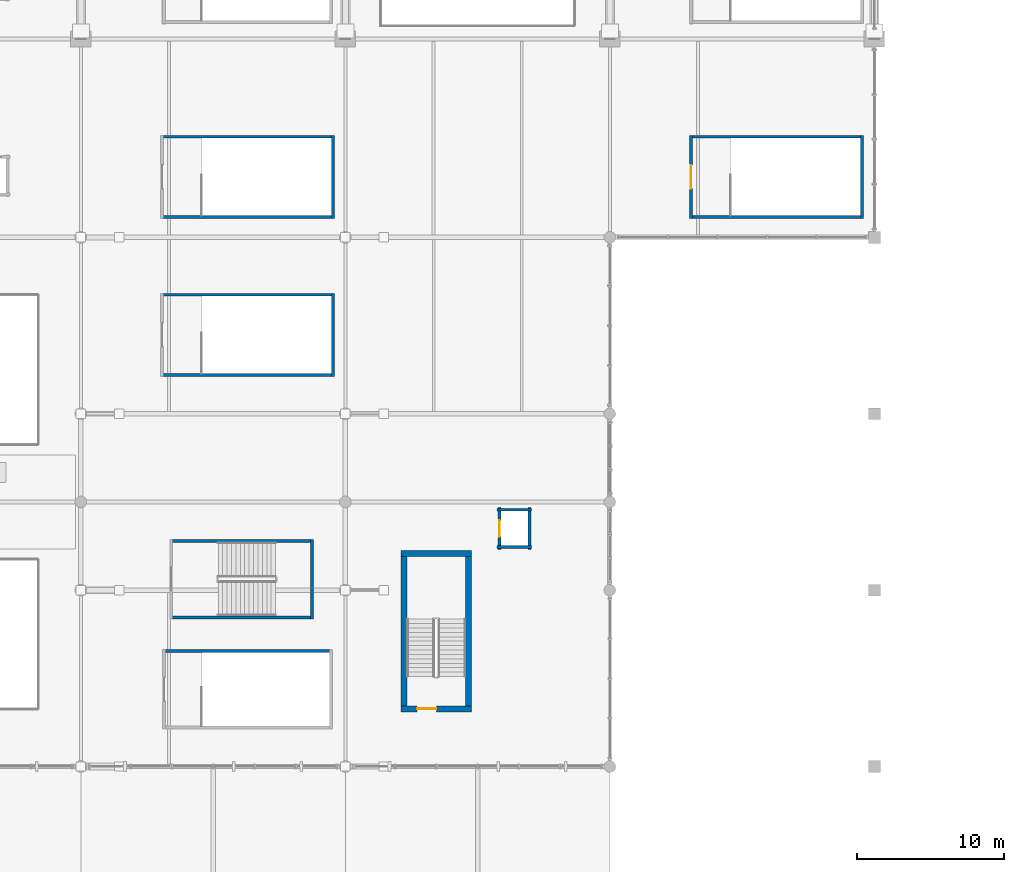
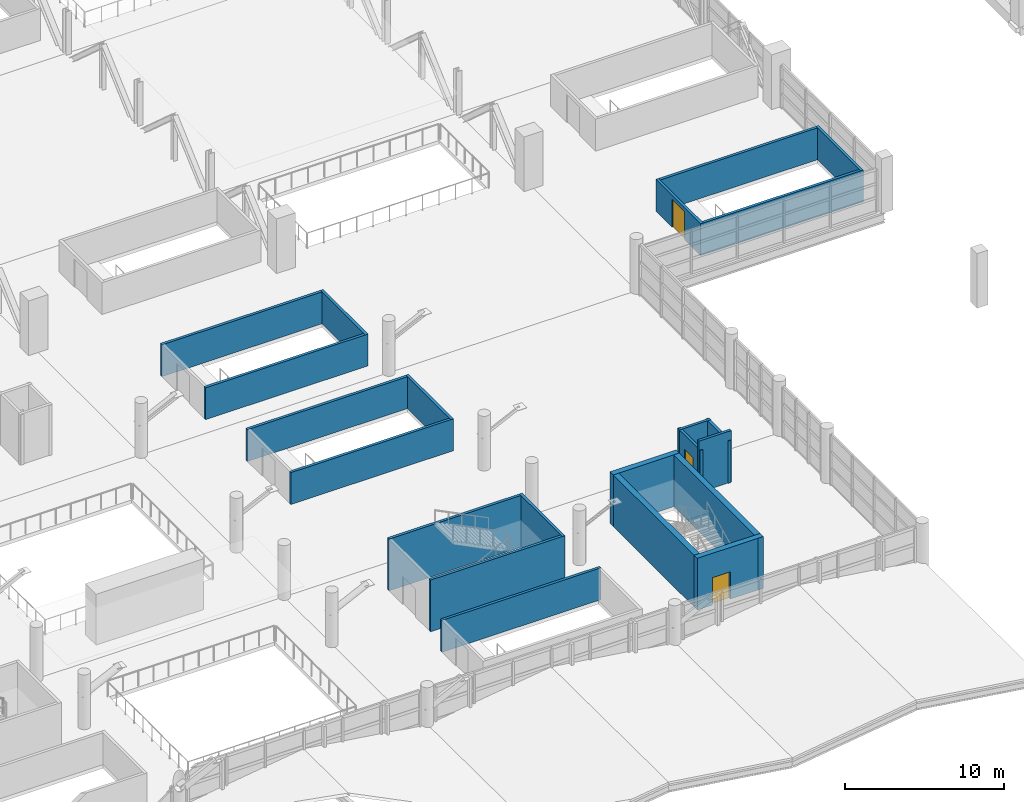
# One storey, part 117 of 136: 22 walls, 3 doors, 3 openings.
"""IFC4 building model written with IfcOpenShell, lengths in metres."""

from ifc_helpers import new_model, si_unit, direction, frame, frame_2d, origin, place, context, subcontext, project, spatial, rectangle, extrude, material, layer, layer_set, type_object, element, fill, save


model = new_model("IFC4")

# Units and contexts
model_context = context("Model", 3, precision=1e-05, world=origin(), true_north=direction((0.0, 1.0)))
body_context = subcontext(model_context, "Body", "Model", "MODEL_VIEW")
ifc_project = project(units=[si_unit("LENGTHUNIT", "METRE"), si_unit("AREAUNIT", "SQUARE_METRE"), si_unit("VOLUMEUNIT", "CUBIC_METRE"), si_unit("PLANEANGLEUNIT", "RADIAN"), si_unit("MASSUNIT", "GRAM", prefix="KILO")], contexts=[model_context])

# Site, building, storey
site_placement = place(None, origin())
site = spatial("IfcSite", under=ifc_project, at=site_placement, CompositionType="ELEMENT")
building_placement = place(site_placement, origin())
building = spatial("IfcBuilding", under=site, at=building_placement, Name="Chuanluo Vaults Station", CompositionType="ELEMENT")
storey_placement = place(building_placement, frame((0.0, 0.0, 6.60009765625)))
storey = spatial("IfcBuildingStorey", under=building, at=storey_placement, Name="L01", CompositionType="ELEMENT", Elevation=6.60009765625)

# Walls
ifc_material_1 = material(Name="Concrete C50", Category="concrete")
ifc_layer_1 = layer(ifc_material_1, 0.39990234375)
ifc_layer_set_1 = layer_set([ifc_layer_1], Name="Concrete C50")
wall_type_1 = type_object("IfcWallType", Name="WL-COR-400", PredefinedType="SHEAR", material=ifc_layer_set_1)
for number, where, z_axis, x_axis, name in (
    (1, (80.387451171875, 21.72509765625, 0.0), (0.0, 0.0, 1.0), (0.0, 1.0, 0.0), "Core K6 left shear wall"),
    (2, (75.987548828125, 32.699951171875, 0.0), (0.0, 0.0, 1.0), (0.0, -1.0, 0.0), "Core K6 right shear wall"),
):
    element("IfcWall", number, at=place(storey_placement, frame(where, z_axis=z_axis, x_axis=x_axis)), inside=storey, type_object=wall_type_1, Name=name, PredefinedType="SHEAR", context=body_context, shape_type="SweptSolid", body=[
        extrude(rectangle(XDim=10.974853515625, YDim=0.39990234375, at=frame_2d((5.4873046875, 0.0))), origin(), (0.0, 0.0, 1.0), 3.97998046875),
    ])
wall_1_placement = place(storey_placement, frame((80.58740234375, 32.5, 0.0), z_axis=(0.0, 0.0, 1.0), x_axis=(-1.0, 0.0, 0.0)))
element("IfcWall", 3, at=wall_1_placement, inside=storey, type_object=wall_type_1, Name="Core K6 far shear wall", PredefinedType="SHEAR", context=body_context, shape_type="SweptSolid", body=[
    extrude(rectangle(XDim=4.7998046875, YDim=0.39990234375, at=frame_2d((2.39990234375, 0.0))), origin(), (0.0, 0.0, 1.0), 3.97998046875),
])

# Wall, opening, door
wall_2_placement = place(storey_placement, frame((75.78759765625, 21.925048828125, 0.0), z_axis=(0.0, 0.0, 1.0), x_axis=(1.0, 0.0, 0.0)))
wall_2 = element("IfcWall", 4, at=wall_2_placement, inside=storey, type_object=wall_type_1, Name="Core K6 near shear wall", PredefinedType="SHEAR", context=body_context, shape_type="SweptSolid", body=[
    extrude(rectangle(XDim=4.7998046875, YDim=0.39990234375, at=frame_2d((2.39990234375, 0.0))), origin(), (0.0, 0.0, 1.0), 3.97998046875),
])
opening_1_placement = place(wall_2_placement, frame((1.10009765625, 0.0, 0.0)))
opening_1 = element("IfcOpeningElement", 5, at=opening_1_placement, cuts=wall_2, Name="Opening FD-05", PredefinedType="OPENING", context=body_context, shape_type="SweptSolid", body=[
    extrude(rectangle(XDim=1.300048828125, YDim=2.10009765625, at=frame_2d((0.64990234375, 1.050048828125))), frame((0.0, 0.20995, 0.0), z_axis=(0.0, -1.0, 0.0), x_axis=(1.0, 0.0, 0.0)), (0.0, 0.0, 1.0), 0.4199),
])
ifc_material_2 = material(Name="Fire-rated steel leaf", Category="steel")
door_type_1 = type_object("IfcDoorType", Name="DR-FIR-1300x2100", OperationType="NOTDEFINED", PredefinedType="DOOR", material=ifc_material_2)
door_1_placement = place(opening_1_placement, origin())
door_1 = element("IfcDoor", 6, at=door_1_placement, inside=storey, type_object=door_type_1, Name="D-091 Stair ST-06 fire door", OperationType="SINGLE_SWING_RIGHT", OverallHeight=2.10009765625, OverallWidth=1.300048828125, PredefinedType="DOOR", context=body_context, shape_type="SweptSolid", body=[
    extrude(rectangle(XDim=1.300048828125, YDim=2.10009765625, at=frame_2d((0.64990234375, 1.050048828125))), frame((0.0, 0.02490234375, 0.0), z_axis=(0.0, -1.0, 0.0), x_axis=(1.0, 0.0, 0.0)), (0.0, 0.0, 1.0), 0.050048828125),
])
fill(opening_1, door_1)

# Walls
ifc_material_3 = material(Name="Concrete C40", Category="concrete")
ifc_layer_2 = layer(ifc_material_3, 0.199951171875)
ifc_layer_set_2 = layer_set([ifc_layer_2], Name="Concrete C40")
wall_type_2 = type_object("IfcWallType", Name="WL-SHF-200", PredefinedType="SOLIDWALL", material=ifc_layer_set_2)
for number, where, z_axis, x_axis, name in (
    (7, (59.425048828125, 55.39990234375, 0.0), (0.0, 0.0, 1.0), (1.0, 0.0, 0.0), "Stair ST-08 south shaft wall L01"),
    (8, (71.25, 60.85009765625, 0.0), (0.0, 0.0, 1.0), (-1.0, 0.0, 0.0), "Stair ST-08 north shaft wall L01"),
):
    element("IfcWall", number, at=place(storey_placement, frame(where, z_axis=z_axis, x_axis=x_axis)), inside=storey, type_object=wall_type_2, Name=name, PredefinedType="SOLIDWALL", context=body_context, shape_type="SweptSolid", body=[
        extrude(rectangle(XDim=11.824951171875, YDim=0.199951171875, at=frame_2d((5.91259765625, 0.0))), origin(), (0.0, 0.0, 1.0), 2.449951171875),
    ])
wall_3_placement = place(storey_placement, frame((71.14990234375, 55.300048828125, 0.0), z_axis=(0.0, 0.0, 1.0), x_axis=(0.0, 1.0, 0.0)))
element("IfcWall", 9, at=wall_3_placement, inside=storey, type_object=wall_type_2, Name="Stair ST-08 far shaft wall L01", PredefinedType="SOLIDWALL", context=body_context, shape_type="SweptSolid", body=[
    extrude(rectangle(XDim=5.64990234375, YDim=0.199951171875, at=frame_2d((2.824951171875, 0.0))), origin(), (0.0, 0.0, 1.0), 2.449951171875),
])
for number, where, z_axis, x_axis, name in (
    (10, (95.425048828125, 55.39990234375, 0.0), (0.0, 0.0, 1.0), (1.0, 0.0, 0.0), "Stair ST-09 south shaft wall L01"),
    (11, (107.25, 60.85009765625, 0.0), (0.0, 0.0, 1.0), (-1.0, 0.0, 0.0), "Stair ST-09 north shaft wall L01"),
):
    element("IfcWall", number, at=place(storey_placement, frame(where, z_axis=z_axis, x_axis=x_axis)), inside=storey, type_object=wall_type_2, Name=name, PredefinedType="SOLIDWALL", context=body_context, shape_type="SweptSolid", body=[
        extrude(rectangle(XDim=11.824951171875, YDim=0.199951171875, at=frame_2d((5.91259765625, 0.0))), origin(), (0.0, 0.0, 1.0), 2.449951171875),
    ])
wall_4_placement = place(storey_placement, frame((107.14990234375, 55.300048828125, 0.0), z_axis=(0.0, 0.0, 1.0), x_axis=(0.0, 1.0, 0.0)))
element("IfcWall", 12, at=wall_4_placement, inside=storey, type_object=wall_type_2, Name="Stair ST-09 far shaft wall L01", PredefinedType="SOLIDWALL", context=body_context, shape_type="SweptSolid", body=[
    extrude(rectangle(XDim=5.64990234375, YDim=0.199951171875, at=frame_2d((2.824951171875, 0.0))), origin(), (0.0, 0.0, 1.0), 2.449951171875),
])

# Wall, opening, door
wall_5_placement = place(storey_placement, frame((95.52490234375, 60.949951171875, 0.0), z_axis=(0.0, 0.0, 1.0), x_axis=(0.0, -1.0, 0.0)))
wall_5 = element("IfcWall", 13, at=wall_5_placement, inside=storey, type_object=wall_type_2, Name="Stair ST-09 vestibule wall L01", PredefinedType="SOLIDWALL", context=body_context, shape_type="SweptSolid", body=[
    extrude(rectangle(XDim=5.64990234375, YDim=0.199951171875, at=frame_2d((2.824951171875, 0.0))), origin(), (0.0, 0.0, 1.0), 2.449951171875),
])
opening_2_placement = place(wall_5_placement, frame((2.02490234375, 0.0, 0.0)))
opening_2 = element("IfcOpeningElement", 14, at=opening_2_placement, cuts=wall_5, Name="Opening FD-02", PredefinedType="OPENING", context=body_context, shape_type="SweptSolid", body=[
    extrude(rectangle(XDim=1.60009765625, YDim=2.14990234375, at=frame_2d((0.800048828125, 1.074951171875))), frame((0.0, 0.1101, 0.0), z_axis=(0.0, -1.0, 0.0), x_axis=(1.0, 0.0, 0.0)), (0.0, 0.0, 1.0), 0.21995),
])
ifc_material_4 = material(Name="Fire-rated steel leaf", Category="steel")
door_type_2 = type_object("IfcDoorType", Name="DR-FIR-1600x2150", OperationType="NOTDEFINED", PredefinedType="DOOR", material=ifc_material_4)
door_2_placement = place(opening_2_placement, origin())
door_2 = element("IfcDoor", 15, at=door_2_placement, inside=storey, type_object=door_type_2, Name="D-098 Stair ST-09 fire door L01", OperationType="SINGLE_SWING_LEFT", OverallHeight=2.14990234375, OverallWidth=1.60009765625, PredefinedType="DOOR", context=body_context, shape_type="SweptSolid", body=[
    extrude(rectangle(XDim=1.60009765625, YDim=2.14990234375, at=frame_2d((0.800048828125, 1.074951171875))), frame((0.0, 0.02490234375, 0.0), z_axis=(0.0, -1.0, 0.0), x_axis=(1.0, 0.0, 0.0)), (0.0, 0.0, 1.0), 0.050048828125),
])
fill(opening_2, door_2)

# Walls
wall_6_placement = place(storey_placement, frame((71.125, 25.85009765625, 0.0), z_axis=(0.0, 0.0, 1.0), x_axis=(-1.0, 0.0, 0.0)))
element("IfcWall", 16, at=wall_6_placement, inside=storey, type_object=wall_type_2, Name="Stair ST-19 north shaft wall L01", PredefinedType="SOLIDWALL", context=body_context, shape_type="SweptSolid", body=[
    extrude(rectangle(XDim=11.574951171875, YDim=0.199951171875, at=frame_2d((5.78759765625, 0.0))), origin(), (0.0, 0.0, 1.0), 2.449951171875),
])
for number, where, z_axis, x_axis, name in (
    (17, (59.425048828125, 44.64990234375, 0.0), (0.0, 0.0, 1.0), (1.0, 0.0, 0.0), "Stair ST-21 south shaft wall L01"),
    (18, (71.25, 50.10009765625, 0.0), (0.0, 0.0, 1.0), (-1.0, 0.0, 0.0), "Stair ST-21 north shaft wall L01"),
):
    element("IfcWall", number, at=place(storey_placement, frame(where, z_axis=z_axis, x_axis=x_axis)), inside=storey, type_object=wall_type_2, Name=name, PredefinedType="SOLIDWALL", context=body_context, shape_type="SweptSolid", body=[
        extrude(rectangle(XDim=11.824951171875, YDim=0.199951171875, at=frame_2d((5.91259765625, 0.0))), origin(), (0.0, 0.0, 1.0), 2.449951171875),
    ])
wall_7_placement = place(storey_placement, frame((71.14990234375, 44.550048828125, 0.0), z_axis=(0.0, 0.0, 1.0), x_axis=(0.0, 1.0, 0.0)))
element("IfcWall", 19, at=wall_7_placement, inside=storey, type_object=wall_type_2, Name="Stair ST-21 far shaft wall L01", PredefinedType="SOLIDWALL", context=body_context, shape_type="SweptSolid", body=[
    extrude(rectangle(XDim=5.64990234375, YDim=0.199951171875, at=frame_2d((2.824951171875, 0.0))), origin(), (0.0, 0.0, 1.0), 2.449951171875),
])
for number, where, z_axis, x_axis, name in (
    (20, (60.050048828125, 28.14990234375, 0.0), (0.0, 0.0, 1.0), (1.0, 0.0, 0.0), "Stair ST-23 south shaft wall L01"),
    (21, (69.824951171875, 33.35009765625, 0.0), (0.0, 0.0, 1.0), (-1.0, 0.0, 0.0), "Stair ST-23 north shaft wall L01"),
):
    element("IfcWall", number, at=place(storey_placement, frame(where, z_axis=z_axis, x_axis=x_axis)), inside=storey, type_object=wall_type_2, Name=name, PredefinedType="SOLIDWALL", context=body_context, shape_type="SweptSolid", body=[
        extrude(rectangle(XDim=9.77490234375, YDim=0.199951171875, at=frame_2d((4.887451171875, 0.0))), origin(), (0.0, 0.0, 1.0), 3.97998046875),
    ])
wall_8_placement = place(storey_placement, frame((69.72509765625, 28.050048828125, 0.0), z_axis=(0.0, 0.0, 1.0), x_axis=(0.0, 1.0, 0.0)))
element("IfcWall", 22, at=wall_8_placement, inside=storey, type_object=wall_type_2, Name="Stair ST-23 far shaft wall L01", PredefinedType="SOLIDWALL", context=body_context, shape_type="SweptSolid", body=[
    extrude(rectangle(XDim=5.39990234375, YDim=0.199951171875, at=frame_2d((2.699951171875, 0.0))), origin(), (0.0, 0.0, 1.0), 3.97998046875),
])
wall_9_placement = place(storey_placement, frame((82.330078125, 32.929931640625, 0.0), z_axis=(0.0, 0.0, 1.0), x_axis=(1.0, 0.0, 0.0)))
element("IfcWall", 23, at=wall_9_placement, inside=storey, type_object=wall_type_2, Name="Lift EL-01 shaft wall L01 -Y", PredefinedType="SOLIDWALL", context=body_context, shape_type="SweptSolid", body=[
    extrude(rectangle(XDim=2.33984375, YDim=0.199951171875, at=frame_2d((1.169921875, 0.0))), origin(), (0.0, 0.0, 1.0), 3.954833984375),
])
wall_10_placement = place(storey_placement, frame((84.669921875, 35.469970703125, 0.0), z_axis=(0.0, 0.0, 1.0), x_axis=(-1.0, 0.0, 0.0)))
element("IfcWall", 24, at=wall_10_placement, inside=storey, type_object=wall_type_2, Name="Lift EL-01 shaft wall L01 +Y", PredefinedType="SOLIDWALL", context=body_context, shape_type="SweptSolid", body=[
    extrude(rectangle(XDim=2.33984375, YDim=0.199951171875, at=frame_2d((1.169921875, 0.0))), origin(), (0.0, 0.0, 1.0), 3.2548828125),
])

# Wall, opening, door
wall_11_placement = place(storey_placement, frame((82.47998046875, 35.6201171875, 0.0), z_axis=(0.0, 0.0, 1.0), x_axis=(0.0, -1.0, 0.0)))
wall_11 = element("IfcWall", 25, at=wall_11_placement, inside=storey, type_object=wall_type_2, Name="Lift EL-01 shaft wall L01 -X", PredefinedType="SOLIDWALL", context=body_context, shape_type="SweptSolid", body=[
    extrude(rectangle(XDim=2.840087890625, YDim=0.199951171875, at=frame_2d((1.419921875, 0.0))), origin(), (0.0, 0.0, 1.0), 3.2548828125),
])
opening_3_placement = place(wall_11_placement, frame((0.8701171875, 0.0, 0.0)))
opening_3 = element("IfcOpeningElement", 26, at=opening_3_placement, cuts=wall_11, Name="Opening LD-01", PredefinedType="OPENING", context=body_context, shape_type="SweptSolid", body=[
    extrude(rectangle(XDim=1.10009765625, YDim=2.14990234375, at=frame_2d((0.550048828125, 1.074951171875))), frame((0.0, 0.1101, 0.0), z_axis=(0.0, -1.0, 0.0), x_axis=(1.0, 0.0, 0.0)), (0.0, 0.0, 1.0), 0.21995),
])
ifc_material_5 = material(Name="Brushed stainless steel 304", Category="steel")
door_type_3 = type_object("IfcDoorType", Name="DR-LFT-1100x2150", OperationType="SLIDING_TO_LEFT", PredefinedType="DOOR", material=ifc_material_5)
door_3_placement = place(opening_3_placement, origin())
door_3 = element("IfcDoor", 27, at=door_3_placement, inside=storey, type_object=door_type_3, Name="LD-EL-01-03 Lift EL-01 sliding landing door L01", OperationType="SLIDING_TO_LEFT", OverallHeight=2.14990234375, OverallWidth=1.10009765625, PredefinedType="DOOR", context=body_context, shape_type="SweptSolid", body=[
    extrude(rectangle(XDim=1.10009765625, YDim=2.14990234375, at=frame_2d((0.550048828125, 1.074951171875))), frame((0.0, 0.02490234375, 0.0), z_axis=(0.0, -1.0, 0.0), x_axis=(1.0, 0.0, 0.0)), (0.0, 0.0, 1.0), 0.050048828125),
])
fill(opening_3, door_3)

# Wall
wall_12_placement = place(storey_placement, frame((84.52001953125, 32.780029296875, 0.0), z_axis=(0.0, 0.0, 1.0), x_axis=(0.0, 1.0, 0.0)))
element("IfcWall", 28, at=wall_12_placement, inside=storey, type_object=wall_type_2, Name="Lift EL-01 shaft wall L01 +X", PredefinedType="SOLIDWALL", context=body_context, shape_type="SweptSolid", body=[
    extrude(rectangle(XDim=2.840087890625, YDim=0.199951171875, at=frame_2d((1.419921875, 0.0))), origin(), (0.0, 0.0, 1.0), 3.2548828125),
])

save(model, "model.ifc")
